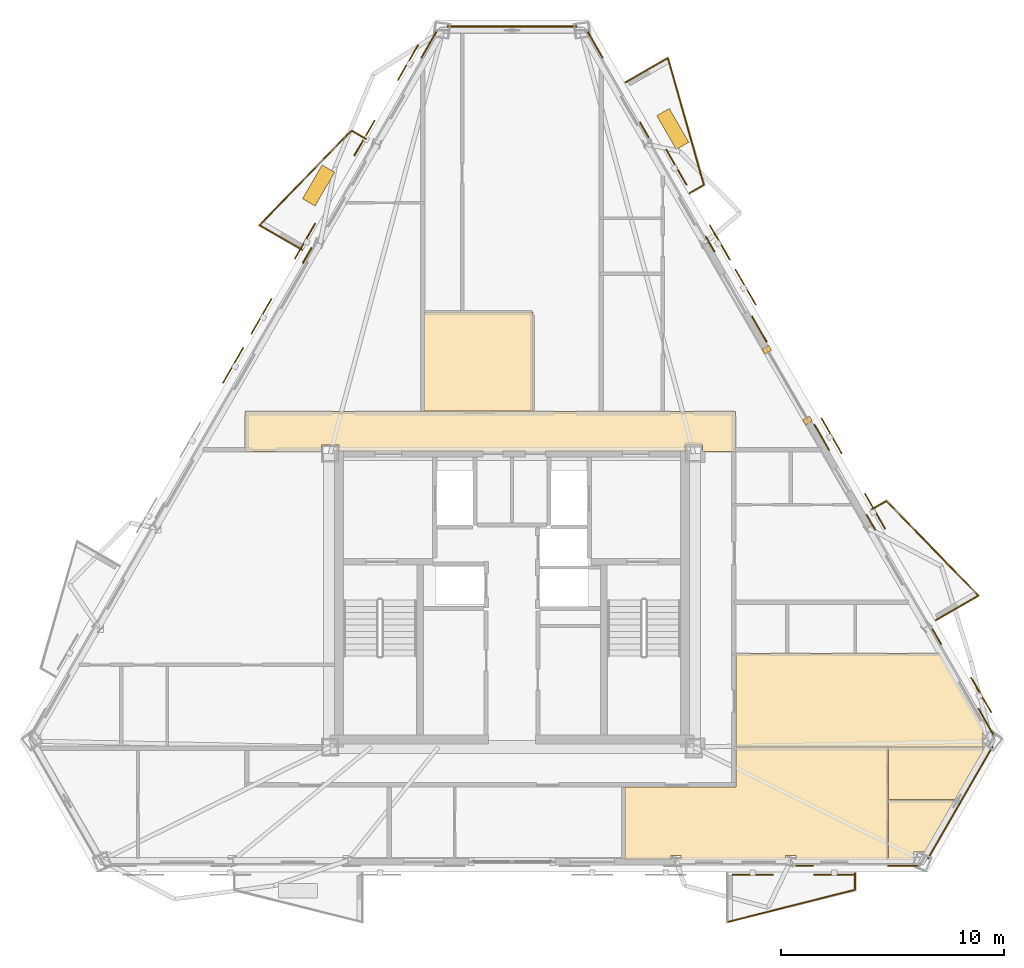
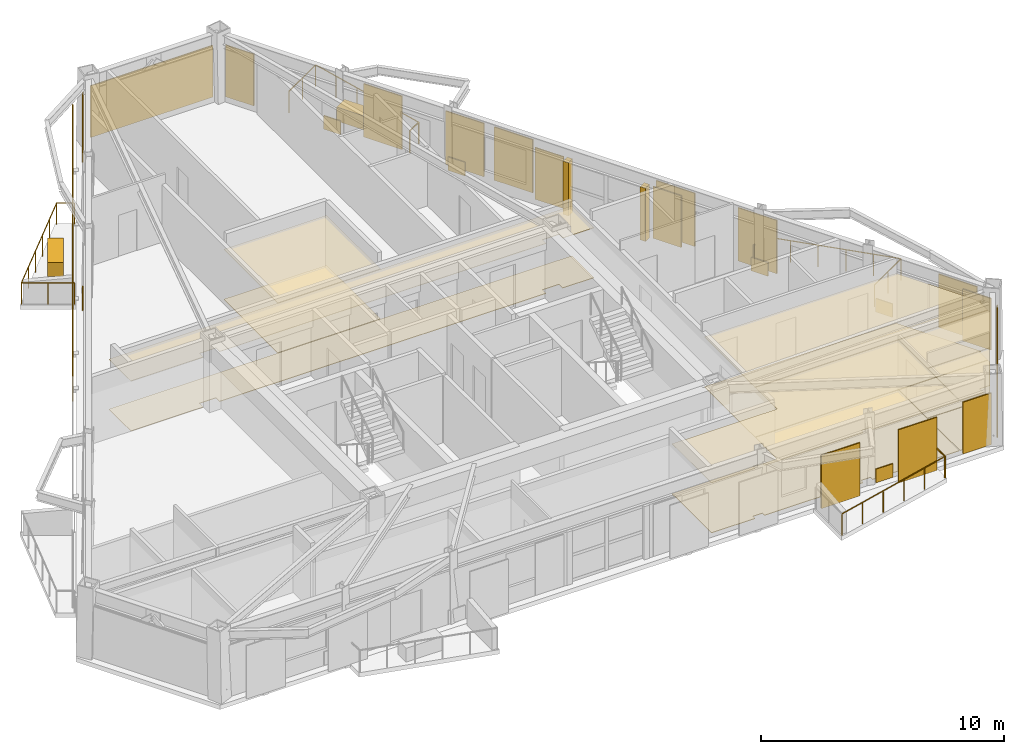
# One storey, part 12 of 12: 30 coverings, 13 shading devices, 11 railings.
"""IFC4 building model written with IfcOpenShell, lengths in metres."""

from ifc_helpers import new_model, si_unit, direction, frame, origin, origin_2d, place, context, subcontext, project, spatial, polyline, rectangle, circle, outline, extrude, material, layer, layer_set, type_object, element, save


model = new_model("IFC4")

# Units and contexts
model_context = context("Model", 3, precision=1e-05, world=origin(), true_north=direction((0.0, 1.0)))
body_context = subcontext(model_context, "Body", "Model", "MODEL_VIEW")
ifc_project = project(units=[si_unit("LENGTHUNIT", "METRE"), si_unit("AREAUNIT", "SQUARE_METRE"), si_unit("VOLUMEUNIT", "CUBIC_METRE"), si_unit("PLANEANGLEUNIT", "RADIAN"), si_unit("MASSUNIT", "GRAM", prefix="KILO")], contexts=[model_context])

# Site, building, storey
site_placement = place(None, origin())
site = spatial("IfcSite", under=ifc_project, at=site_placement, CompositionType="ELEMENT")
building_placement = place(site_placement, origin())
building = spatial("IfcBuilding", under=site, at=building_placement, Name="Oramaril Tower", CompositionType="ELEMENT")
storey_placement = place(building_placement, frame((0.0, 0.0, 227.10009765625)))
storey = spatial("IfcBuildingStorey", under=building, at=storey_placement, Name="L60", CompositionType="ELEMENT", Elevation=227.10009765625)

# Coverings
ifc_material_1 = material(Name="Mineral Fibre Acoustic Ceiling")
ifc_layer_1 = layer(ifc_material_1, 0.02001953125)
ifc_layer_set_1 = layer_set([ifc_layer_1], Name="CVT-CEIL")
covering_type_1 = type_object("IfcCoveringType", Name="CVT-CEIL", PredefinedType="CEILING", material=ifc_layer_set_1)
covering_1_placement = place(storey_placement, frame((0.0, 0.0, 2.511962890625)))
element("IfcCovering", 1, at=covering_1_placement, inside=storey, type_object=covering_type_1, Name="L60 Acoustic Suspended Ceiling 2", PredefinedType="CEILING", context=body_context, shape_type="SweptSolid", body=[
    extrude(outline(polyline([(47.530029296875, 24.239990234375), (46.044921875, 24.239990234375), (46.044921875, 24.544921875), (45.2548828125, 24.544921875), (45.2548828125, 24.25), (29.7451171875, 24.25), (29.7451171875, 24.544921875), (28.955078125, 24.544921875), (28.955078125, 24.239990234375), (25.52001953125, 24.239990234375), (25.52001953125, 26.050048828125), (47.530029296875, 26.050048828125), (47.530029296875, 24.239990234375)])), origin(), (0.0, 0.0, 1.0), 0.02001953125),
])
covering_2_placement = place(storey_placement, frame((0.0, 0.0, 2.511962890625)))
element("IfcCovering", 2, at=covering_2_placement, inside=storey, type_object=covering_type_1, Name="L60 Acoustic Suspended Ceiling 4", PredefinedType="CEILING", context=body_context, shape_type="SweptSolid", body=[
    extrude(outline(polyline([(38.44189453125, 30.511962890625), (38.44189453125, 26.070068359375), (33.55810546875, 26.070068359375), (33.55810546875, 30.511962890625), (38.44189453125, 30.511962890625)])), origin(), (0.0, 0.0, 1.0), 0.02001953125),
])
covering_3_placement = place(storey_placement, frame((0.0, 0.0, 2.511962890625)))
element("IfcCovering", 3, at=covering_3_placement, inside=storey, type_object=covering_type_1, Name="L60 Acoustic Suspended Ceiling 9", PredefinedType="CEILING", context=body_context, shape_type="SweptSolid", body=[
    extrude(outline(polyline([(54.3544921875, 10.991943359375), (54.3544921875, 5.957275390625), (50.22998046875, 5.957275390625), (50.22998046875, 6.133544921875), (49.772705078125, 6.133544921875), (49.772705078125, 5.957275390625), (45.07861328125, 5.957275390625), (45.07861328125, 6.133544921875), (44.62890625, 6.133544921875), (44.62890625, 5.957275390625), (42.56201171875, 5.957275390625), (42.56201171875, 9.199951171875), (47.530029296875, 9.199951171875), (47.531982421875, 9.2001953125), (47.533935546875, 9.200439453125), (47.535888671875, 9.200927734375), (47.53759765625, 9.201416015625), (47.539306640625, 9.202392578125), (47.541015625, 9.203369140625), (47.542724609375, 9.20458984375), (47.544189453125, 9.205810546875), (47.54541015625, 9.207275390625), (47.546630859375, 9.208984375), (47.547607421875, 9.210693359375), (47.548583984375, 9.21240234375), (47.549072265625, 9.214111328125), (47.549560546875, 9.216064453125), (47.5498046875, 9.218017578125), (47.550048828125, 9.219970703125), (47.550048828125, 10.991943359375), (54.3544921875, 10.991943359375)])), origin(), (0.0, 0.0, 1.0), 0.02001953125),
])
covering_4_placement = place(storey_placement, frame((0.0, 0.0, 2.511962890625)))
element("IfcCovering", 4, at=covering_4_placement, inside=storey, type_object=covering_type_1, Name="L60 Acoustic Suspended Ceiling 10", PredefinedType="CEILING", context=body_context, shape_type="SweptSolid", body=[
    extrude(outline(polyline([(55.997314453125, 6.2841796875), (55.5009765625, 6.2841796875), (55.5009765625, 5.957275390625), (54.37451171875, 5.957275390625), (54.37451171875, 8.616943359375), (57.343994140625, 8.616943359375), (55.997314453125, 6.2841796875)])), origin(), (0.0, 0.0, 1.0), 0.02001953125),
])
covering_5_placement = place(storey_placement, frame((0.0, 0.0, 2.511962890625)))
element("IfcCovering", 5, at=covering_5_placement, inside=storey, type_object=covering_type_1, Name="L60 Acoustic Suspended Ceiling 11", PredefinedType="CEILING", context=body_context, shape_type="SweptSolid", body=[
    extrude(outline(polyline([(58.614013671875, 10.89013671875), (58.656494140625, 10.89013671875), (57.35400390625, 8.63427734375), (57.353515625, 8.634521484375), (57.351806640625, 8.63525390625), (57.35009765625, 8.635986328125), (57.347900390625, 8.636474609375), (57.34619140625, 8.63671875), (57.343994140625, 8.636962890625), (54.37451171875, 8.636962890625), (54.37451171875, 10.991943359375), (58.614013671875, 10.991943359375), (58.614013671875, 10.89013671875)])), origin(), (0.0, 0.0, 1.0), 0.02001953125),
])
covering_6_placement = place(storey_placement, frame((0.0, 0.0, 2.511962890625)))
element("IfcCovering", 6, at=covering_6_placement, inside=storey, type_object=covering_type_1, Name="L60 Acoustic Suspended Ceiling 16", PredefinedType="CEILING", context=body_context, shape_type="SweptSolid", body=[
    extrude(outline(polyline([(56.668701171875, 15.18408203125), (58.688720703125, 11.685546875), (58.614013671875, 11.685546875), (58.614013671875, 11.011962890625), (54.37451171875, 11.011962890625), (54.37255859375, 11.011962890625), (54.37060546875, 11.01171875), (54.368896484375, 11.010986328125), (54.366943359375, 11.010498046875), (54.365234375, 11.009521484375), (54.364501953125, 11.00927734375), (54.364013671875, 11.009521484375), (54.3623046875, 11.010498046875), (54.3603515625, 11.010986328125), (54.3583984375, 11.01171875), (54.356689453125, 11.011962890625), (54.3544921875, 11.011962890625), (47.550048828125, 11.011962890625), (47.550048828125, 11.030029296875), (47.5498046875, 11.031982421875), (47.549560546875, 11.033935546875), (47.549072265625, 11.035888671875), (47.548583984375, 11.03759765625), (47.547607421875, 11.039306640625), (47.54736328125, 11.0400390625), (47.547607421875, 11.04052734375), (47.548583984375, 11.042236328125), (47.549072265625, 11.044189453125), (47.549560546875, 11.046142578125), (47.5498046875, 11.048095703125), (47.550048828125, 11.050048828125), (47.550048828125, 15.18408203125), (56.668701171875, 15.18408203125)])), origin(), (0.0, 0.0, 1.0), 0.02001953125),
])
ifc_material_2 = material(Name="Warm Cream Limestone", Category="masonry")
ifc_layer_2 = layer(ifc_material_2, 0.050048828125)
ifc_layer_set_2 = layer_set([ifc_layer_2], Name="CVT-CLD")
covering_type_2 = type_object("IfcCoveringType", Name="CVT-CLD", PredefinedType="CLADDING", material=ifc_layer_set_2)
covering_7_placement = place(storey_placement, frame((55.02099609375, 5.681396484375, 0.0400390625), z_axis=(0.0, 0.0, 1.0), x_axis=(1.0, 0.0, 0.0)))
element("IfcCovering", 7, at=covering_7_placement, inside=storey, type_object=covering_type_2, Name="L60 Warm Cream Limestone Cladding", PredefinedType="CLADDING", context=body_context, shape_type="SweptSolid", body=[
    extrude(rectangle(XDim=1.35009765625, YDim=0.050048828125, at=origin_2d()), origin(), (0.0, 0.0, 1.0), 2.596923828125),
])
covering_8_placement = place(storey_placement, frame((50.6162109375, 5.681396484375, 0.0400390625), z_axis=(0.0, 0.0, 1.0), x_axis=(1.0, 0.0, 0.0)))
element("IfcCovering", 8, at=covering_8_placement, inside=storey, type_object=covering_type_2, Name="L60 Warm Cream Limestone Spandrel Cladding", PredefinedType="CLADDING", context=body_context, shape_type="SweptSolid", body=[
    extrude(rectangle(XDim=0.800048828125, YDim=0.050048828125, at=origin_2d()), origin(), (0.0, 0.0, 1.0), 0.679931640625),
])
covering_9_placement = place(storey_placement, frame((57.594482421875, 8.498291015625, 0.0400390625), z_axis=(0.0, 0.0, 1.0), x_axis=(0.500003022996, 0.86602365845, 0.0)))
element("IfcCovering", 9, at=covering_9_placement, inside=storey, type_object=covering_type_2, Name="L60 Warm Cream Limestone Cladding", PredefinedType="CLADDING", context=body_context, shape_type="SweptSolid", body=[
    extrude(rectangle(XDim=5.81201171875, YDim=0.050048828125, at=origin_2d()), origin(), (0.0, 0.0, 1.0), 2.596923828125),
])
for number, where, z_axis, x_axis, name in (
    (10, (50.75634765625, 25.640380859375, 0.0), (0.0, 0.0, 1.0), (-0.5, 0.866025403784, 0.0), "L60 Curtain Wall Limestone Jamb Closure"),
    (11, (48.926513671875, 28.810302734375, 0.0), (0.0, 0.0, 1.0), (-0.5, 0.866025403784, 0.0), "L60 Curtain Wall Limestone Jamb Closure"),
):
    element("IfcCovering", number, at=place(storey_placement, frame(where, z_axis=z_axis, x_axis=x_axis)), inside=storey, type_object=covering_type_2, Name=name, PredefinedType="CLADDING", context=body_context, shape_type="SweptSolid", body=[
        extrude(rectangle(XDim=0.260009765625, YDim=0.340087890625, at=origin_2d()), origin(), (0.0, 0.0, 1.0), 2.677001953125),
    ])
for number, where, z_axis, x_axis, name in (
    (12, (58.747314453125, 12.1357421875, 0.0400390625), (0.0, 0.0, 1.0), (-0.4999984885, 0.866026276448, 0.0), "L60 Warm Cream Limestone Cladding"),
    (13, (51.386962890625, 24.884521484375, 0.0400390625), (0.0, 0.0, 1.0), (-0.4999984885, 0.866026276448, 0.0), "L60 Warm Cream Limestone Cladding"),
):
    element("IfcCovering", number, at=place(storey_placement, frame(where, z_axis=z_axis, x_axis=x_axis)), inside=storey, type_object=covering_type_2, Name=name, PredefinedType="CLADDING", context=body_context, shape_type="SweptSolid", body=[
        extrude(rectangle(XDim=1.35009765625, YDim=0.050048828125, at=origin_2d()), origin(), (0.0, 0.0, 1.0), 2.596923828125),
    ])
for number, where, z_axis, x_axis, name in (
    (14, (56.544921875, 15.9501953125, 0.0400390625), (0.0, 0.0, 1.0), (-0.4999984885, 0.866026276448, 0.0), "L60 Warm Cream Limestone Spandrel Cladding"),
    (15, (53.58935546875, 21.06982421875, 0.0400390625), (0.0, 0.0, 1.0), (-0.4999984885, 0.866026276448, 0.0), "L60 Warm Cream Limestone Spandrel Cladding"),
):
    element("IfcCovering", number, at=place(storey_placement, frame(where, z_axis=z_axis, x_axis=x_axis)), inside=storey, type_object=covering_type_2, Name=name, PredefinedType="CLADDING", context=body_context, shape_type="SweptSolid", body=[
        extrude(rectangle(XDim=0.800048828125, YDim=0.050048828125, at=origin_2d()), origin(), (0.0, 0.0, 1.0), 0.679931640625),
    ])
for number, where, z_axis, x_axis, name in (
    (16, (48.5869140625, 29.734130859375, 0.0400390625), (0.0, 0.0, 1.0), (-0.4999984885, 0.866026276448, 0.0), "L60 Warm Cream Limestone Cladding"),
    (17, (41.2265625, 42.48291015625, 0.0400390625), (0.0, 0.0, 1.0), (-0.4999984885, 0.866026276448, 0.0), "L60 Warm Cream Limestone Cladding"),
):
    element("IfcCovering", number, at=place(storey_placement, frame(where, z_axis=z_axis, x_axis=x_axis)), inside=storey, type_object=covering_type_2, Name=name, PredefinedType="CLADDING", context=body_context, shape_type="SweptSolid", body=[
        extrude(rectangle(XDim=1.35009765625, YDim=0.050048828125, at=origin_2d()), origin(), (0.0, 0.0, 1.0), 2.596923828125),
    ])
for number, where, z_axis, x_axis, name in (
    (18, (46.384521484375, 33.548828125, 0.0400390625), (0.0, 0.0, 1.0), (-0.4999984885, 0.866026276448, 0.0), "L60 Warm Cream Limestone Spandrel Cladding"),
    (19, (43.4287109375, 38.66845703125, 0.0400390625), (0.0, 0.0, 1.0), (-0.4999984885, 0.866026276448, 0.0), "L60 Warm Cream Limestone Spandrel Cladding"),
):
    element("IfcCovering", number, at=place(storey_placement, frame(where, z_axis=z_axis, x_axis=x_axis)), inside=storey, type_object=covering_type_2, Name=name, PredefinedType="CLADDING", context=body_context, shape_type="SweptSolid", body=[
        extrude(rectangle(XDim=0.800048828125, YDim=0.050048828125, at=origin_2d()), origin(), (0.0, 0.0, 1.0), 0.679931640625),
    ])
covering_10_placement = place(storey_placement, frame((37.5, 43.302978515625, 0.0400390625), z_axis=(0.0, 0.0, 1.0), x_axis=(-1.0, 0.0, 0.0)))
element("IfcCovering", 20, at=covering_10_placement, inside=storey, type_object=covering_type_2, Name="L60 Warm Cream Limestone Cladding", PredefinedType="CLADDING", context=body_context, shape_type="SweptSolid", body=[
    extrude(rectangle(XDim=5.81201171875, YDim=0.050048828125, at=origin_2d()), origin(), (0.0, 0.0, 1.0), 2.596923828125),
])
covering_11_placement = place(storey_placement, frame((33.7734375, 42.48291015625, 0.0400390625), z_axis=(0.0, 0.0, 1.0), x_axis=(-0.4999984885, -0.866026276448, 0.0)))
element("IfcCovering", 21, at=covering_11_placement, inside=storey, type_object=covering_type_2, Name="L60 Warm Cream Limestone Cladding", PredefinedType="CLADDING", context=body_context, shape_type="SweptSolid", body=[
    extrude(rectangle(XDim=1.35009765625, YDim=0.050048828125, at=origin_2d()), origin(), (0.0, 0.0, 1.0), 2.596923828125),
])
covering_12_placement = place(storey_placement, frame((28.31982421875, 33.036865234375, 0.0400390625), z_axis=(0.0, 0.0, 1.0), x_axis=(-0.4999984885, -0.866026276448, 0.0)))
element("IfcCovering", 22, at=covering_12_placement, inside=storey, type_object=covering_type_2, Name="L60 Warm Cream Limestone Spandrel Cladding", PredefinedType="CLADDING", context=body_context, shape_type="SweptSolid", body=[
    extrude(rectangle(XDim=0.800048828125, YDim=0.050048828125, at=origin_2d()), origin(), (0.0, 0.0, 1.0), 0.679931640625),
])
for number, where, z_axis, x_axis, name in (
    (23, (44.70849609375, 38.708984375, 0.0), (0.0, 0.0, 1.0), (-0.4999984885, 0.866026276448, 0.0), "L60 Structural Tree Planter Box L60-BAL-NE2"),
    (24, (28.828857421875, 36.17578125, 0.0), (0.0, 0.0, 1.0), (-0.4999984885, -0.866026276448, 0.0), "L60 Structural Tree Planter Box L60-BAL-NW1"),
):
    element("IfcCovering", number, at=place(storey_placement, frame(where, z_axis=z_axis, x_axis=x_axis)), inside=storey, type_object=covering_type_2, Name=name, PredefinedType="CLADDING", context=body_context, shape_type="SweptSolid", body=[
        extrude(rectangle(XDim=1.75, YDim=0.64990234375, at=origin_2d()), origin(), (0.0, 0.0, 1.0), 0.699951171875),
    ])
ifc_material_3 = material(Name="Honed Quartzite Stone Flooring", Category="masonry")
ifc_layer_3 = layer(ifc_material_3, 0.02490234375)
ifc_layer_set_3 = layer_set([ifc_layer_3], Name="CVT-FLR")
covering_type_3 = type_object("IfcCoveringType", Name="CVT-FLR", PredefinedType="FLOORING", material=ifc_layer_set_3)
covering_13_placement = place(storey_placement, origin())
element("IfcCovering", 25, at=covering_13_placement, inside=storey, type_object=covering_type_3, Name="L60 Honed Stone Floor Finish 2", PredefinedType="FLOORING", context=body_context, shape_type="SweptSolid", body=[
    extrude(outline(polyline([(47.530029296875, 24.239990234375), (46.044921875, 24.239990234375), (46.044921875, 24.544921875), (45.2548828125, 24.544921875), (45.2548828125, 24.25), (29.7451171875, 24.25), (29.7451171875, 24.544921875), (28.955078125, 24.544921875), (28.955078125, 24.239990234375), (25.52001953125, 24.239990234375), (25.52001953125, 26.050048828125), (47.530029296875, 26.050048828125), (47.530029296875, 24.239990234375)])), origin(), (0.0, 0.0, 1.0), 0.02490234375),
])
covering_14_placement = place(storey_placement, origin())
element("IfcCovering", 26, at=covering_14_placement, inside=storey, type_object=covering_type_3, Name="L60 Honed Stone Floor Finish 4", PredefinedType="FLOORING", context=body_context, shape_type="SweptSolid", body=[
    extrude(outline(polyline([(38.44189453125, 30.511962890625), (38.44189453125, 26.070068359375), (33.55810546875, 26.070068359375), (33.55810546875, 30.511962890625), (38.44189453125, 30.511962890625)])), origin(), (0.0, 0.0, 1.0), 0.02490234375),
])
covering_15_placement = place(storey_placement, origin())
element("IfcCovering", 27, at=covering_15_placement, inside=storey, type_object=covering_type_3, Name="L60 Honed Stone Floor Finish 9", PredefinedType="FLOORING", context=body_context, shape_type="SweptSolid", body=[
    extrude(outline(polyline([(54.3544921875, 10.991943359375), (54.3544921875, 5.957275390625), (50.22998046875, 5.957275390625), (50.22998046875, 6.133544921875), (49.772705078125, 6.133544921875), (49.772705078125, 5.957275390625), (45.07861328125, 5.957275390625), (45.07861328125, 6.133544921875), (44.62890625, 6.133544921875), (44.62890625, 5.957275390625), (42.56201171875, 5.957275390625), (42.56201171875, 9.199951171875), (47.530029296875, 9.199951171875), (47.531982421875, 9.2001953125), (47.533935546875, 9.200439453125), (47.535888671875, 9.200927734375), (47.53759765625, 9.201416015625), (47.539306640625, 9.202392578125), (47.541015625, 9.203369140625), (47.542724609375, 9.20458984375), (47.544189453125, 9.205810546875), (47.54541015625, 9.207275390625), (47.546630859375, 9.208984375), (47.547607421875, 9.210693359375), (47.548583984375, 9.21240234375), (47.549072265625, 9.214111328125), (47.549560546875, 9.216064453125), (47.5498046875, 9.218017578125), (47.550048828125, 9.219970703125), (47.550048828125, 10.991943359375), (54.3544921875, 10.991943359375)])), origin(), (0.0, 0.0, 1.0), 0.02490234375),
])
covering_16_placement = place(storey_placement, origin())
element("IfcCovering", 28, at=covering_16_placement, inside=storey, type_object=covering_type_3, Name="L60 Honed Stone Floor Finish 10", PredefinedType="FLOORING", context=body_context, shape_type="SweptSolid", body=[
    extrude(outline(polyline([(55.997314453125, 6.2841796875), (55.5009765625, 6.2841796875), (55.5009765625, 5.957275390625), (54.37451171875, 5.957275390625), (54.37451171875, 8.616943359375), (57.343994140625, 8.616943359375), (55.997314453125, 6.2841796875)])), origin(), (0.0, 0.0, 1.0), 0.02490234375),
])
covering_17_placement = place(storey_placement, origin())
element("IfcCovering", 29, at=covering_17_placement, inside=storey, type_object=covering_type_3, Name="L60 Honed Stone Floor Finish 11", PredefinedType="FLOORING", context=body_context, shape_type="SweptSolid", body=[
    extrude(outline(polyline([(58.614013671875, 10.89013671875), (58.656494140625, 10.89013671875), (57.35400390625, 8.63427734375), (57.353515625, 8.634521484375), (57.351806640625, 8.63525390625), (57.35009765625, 8.635986328125), (57.347900390625, 8.636474609375), (57.34619140625, 8.63671875), (57.343994140625, 8.636962890625), (54.37451171875, 8.636962890625), (54.37451171875, 10.991943359375), (58.614013671875, 10.991943359375), (58.614013671875, 10.89013671875)])), origin(), (0.0, 0.0, 1.0), 0.02490234375),
])
covering_18_placement = place(storey_placement, origin())
element("IfcCovering", 30, at=covering_18_placement, inside=storey, type_object=covering_type_3, Name="L60 Honed Stone Floor Finish 16", PredefinedType="FLOORING", context=body_context, shape_type="SweptSolid", body=[
    extrude(outline(polyline([(56.668701171875, 15.18408203125), (58.688720703125, 11.685546875), (58.614013671875, 11.685546875), (58.614013671875, 11.011962890625), (54.37451171875, 11.011962890625), (54.37255859375, 11.011962890625), (54.37060546875, 11.01171875), (54.368896484375, 11.010986328125), (54.366943359375, 11.010498046875), (54.365234375, 11.009521484375), (54.364501953125, 11.00927734375), (54.364013671875, 11.009521484375), (54.3623046875, 11.010498046875), (54.3603515625, 11.010986328125), (54.3583984375, 11.01171875), (54.356689453125, 11.011962890625), (54.3544921875, 11.011962890625), (47.550048828125, 11.011962890625), (47.550048828125, 11.030029296875), (47.5498046875, 11.031982421875), (47.549560546875, 11.033935546875), (47.549072265625, 11.035888671875), (47.548583984375, 11.03759765625), (47.547607421875, 11.039306640625), (47.54736328125, 11.0400390625), (47.547607421875, 11.04052734375), (47.548583984375, 11.042236328125), (47.549072265625, 11.044189453125), (47.549560546875, 11.046142578125), (47.5498046875, 11.048095703125), (47.550048828125, 11.050048828125), (47.550048828125, 15.18408203125), (56.668701171875, 15.18408203125)])), origin(), (0.0, 0.0, 1.0), 0.02490234375),
])

# Railings
ifc_material_4 = material(Name="Stainless Steel 316L", Category="steel")
railing_type = type_object("IfcRailingType", Name="RLT-GRD", PredefinedType="GUARDRAIL", material=ifc_material_4)
railing_1_placement = place(storey_placement, frame((52.87646484375, 5.34130859375, 0.0)))
element("IfcRailing", 31, at=railing_1_placement, inside=storey, type_object=railing_type, Name="L60 Balcony Guardrail L60-BAL-S2.1", PredefinedType="GUARDRAIL", context=body_context, shape_type="SweptSolid", body=[
    extrude(circle(Radius=0.02392578125, at=origin_2d()), frame((0.0, 0.0, 1.076171875), z_axis=(0.0, -1.0, 0.0), x_axis=(1.0, 0.0, 0.0)), (0.0, 0.0, 1.0), 0.741943359375),
    extrude(circle(Radius=0.02099609375, at=origin_2d()), origin(), (0.0, 0.0, 1.0), 1.052001953125),
    extrude(circle(Radius=0.02099609375, at=origin_2d()), frame((0.0, -0.741943359375, 0.0)), (0.0, 0.0, 1.0), 1.052001953125),
])
railing_2_placement = place(storey_placement, frame((52.87646484375, 4.599365234375, 0.0)))
element("IfcRailing", 32, at=railing_2_placement, inside=storey, type_object=railing_type, Name="L60 Balcony Guardrail L60-BAL-S2.2", PredefinedType="GUARDRAIL", context=body_context, shape_type="SweptSolid", body=[
    extrude(circle(Radius=0.02392578125, at=origin_2d()), frame((0.0, 0.0, 1.076171875), z_axis=(-0.969443611257, -0.245314256807, 0.0), x_axis=(0.245314256807, -0.969443611257, 0.0)), (0.0, 0.0, 1.0), 5.91064453125),
    extrude(circle(Radius=0.02099609375, at=origin_2d()), origin(), (0.0, 0.0, 1.0), 1.052001953125),
    extrude(circle(Radius=0.02099609375, at=origin_2d()), frame((-1.14599609375, -0.2900390625, 0.0)), (0.0, 0.0, 1.0), 1.052001953125),
    extrude(circle(Radius=0.02099609375, at=origin_2d()), frame((-2.2919921875, -0.580078125, 0.0)), (0.0, 0.0, 1.0), 1.052001953125),
    extrude(circle(Radius=0.02099609375, at=origin_2d()), frame((-3.43798828125, -0.869873046875, 0.0)), (0.0, 0.0, 1.0), 1.052001953125),
    extrude(circle(Radius=0.02099609375, at=origin_2d()), frame((-4.583984375, -1.159912109375, 0.0)), (0.0, 0.0, 1.0), 1.052001953125),
    extrude(circle(Radius=0.02099609375, at=origin_2d()), frame((-5.72998046875, -1.449951171875, 0.0)), (0.0, 0.0, 1.0), 1.052001953125),
])
railing_3_placement = place(storey_placement, frame((53.64208984375, 21.658203125, 0.0)))
element("IfcRailing", 33, at=railing_3_placement, inside=storey, type_object=railing_type, Name="L60 Balcony Guardrail L60-BAL-NE1.1", PredefinedType="GUARDRAIL", context=body_context, shape_type="SweptSolid", body=[
    extrude(circle(Radius=0.02392578125, at=origin_2d()), frame((0.0, 0.0, 1.076171875), z_axis=(0.865966403178, 0.500102178127, 0.0), x_axis=(-0.500102178127, 0.865966403178, 0.0)), (0.0, 0.0, 1.0), 0.741943359375),
    extrude(circle(Radius=0.02099609375, at=origin_2d()), origin(), (0.0, 0.0, 1.0), 1.052001953125),
    extrude(circle(Radius=0.02099609375, at=origin_2d()), frame((0.642578125, 0.37109375, 0.0)), (0.0, 0.0, 1.0), 1.052001953125),
])
railing_4_placement = place(storey_placement, frame((54.28466796875, 22.029296875, 0.0)))
element("IfcRailing", 34, at=railing_4_placement, inside=storey, type_object=railing_type, Name="L60 Balcony Guardrail L60-BAL-NE1.2", PredefinedType="GUARDRAIL", context=body_context, shape_type="SweptSolid", body=[
    extrude(circle(Radius=0.02392578125, at=origin_2d()), frame((0.0, 0.0, 1.076171875), z_axis=(0.697186915353, -0.716889395277, 0.0), x_axis=(0.716889395277, 0.697186915353, 0.0)), (0.0, 0.0, 1.0), 5.91064453125),
    extrude(circle(Radius=0.02099609375, at=origin_2d()), origin(), (0.0, 0.0, 1.0), 1.052001953125),
    extrude(circle(Radius=0.02099609375, at=origin_2d()), frame((0.82421875, -0.847412109375, 0.0)), (0.0, 0.0, 1.0), 1.052001953125),
    extrude(circle(Radius=0.02099609375, at=origin_2d()), frame((1.6484375, -1.69482421875, 0.0)), (0.0, 0.0, 1.0), 1.052001953125),
    extrude(circle(Radius=0.02099609375, at=origin_2d()), frame((2.472412109375, -2.54248046875, 0.0)), (0.0, 0.0, 1.0), 1.052001953125),
    extrude(circle(Radius=0.02099609375, at=origin_2d()), frame((3.296630859375, -3.389892578125, 0.0)), (0.0, 0.0, 1.0), 1.052001953125),
    extrude(circle(Radius=0.02099609375, at=origin_2d()), frame((4.120849609375, -4.2373046875, 0.0)), (0.0, 0.0, 1.0), 1.052001953125),
])
railing_5_placement = place(storey_placement, frame((58.405517578125, 17.7919921875, 0.0)))
element("IfcRailing", 35, at=railing_5_placement, inside=storey, type_object=railing_type, Name="L60 Balcony Guardrail L60-BAL-NE1.3", PredefinedType="GUARDRAIL", context=body_context, shape_type="SweptSolid", body=[
    extrude(circle(Radius=0.02392578125, at=origin_2d()), frame((0.0, 0.0, 1.076171875), z_axis=(-0.866048343933, -0.499960264392, 0.0), x_axis=(0.499960264392, -0.866048343933, 0.0)), (0.0, 0.0, 1.0), 2.192138671875),
    extrude(circle(Radius=0.02099609375, at=origin_2d()), origin(), (0.0, 0.0, 1.0), 1.052001953125),
    extrude(circle(Radius=0.02099609375, at=origin_2d()), frame((-0.94921875, -0.5478515625, 0.0)), (0.0, 0.0, 1.0), 1.052001953125),
    extrude(circle(Radius=0.02099609375, at=origin_2d()), frame((-1.8984375, -1.095947265625, 0.0)), (0.0, 0.0, 1.0), 1.052001953125),
])
railing_6_placement = place(storey_placement, frame((42.59326171875, 40.7958984375, 0.0)))
element("IfcRailing", 36, at=railing_6_placement, inside=storey, type_object=railing_type, Name="L60 Balcony Guardrail L60-BAL-NE2.1", PredefinedType="GUARDRAIL", context=body_context, shape_type="SweptSolid", body=[
    extrude(circle(Radius=0.02392578125, at=origin_2d()), frame((0.0, 0.0, 1.076171875), z_axis=(0.866020500697, 0.5000084923, 0.0), x_axis=(-0.5000084923, 0.866020500697, 0.0)), (0.0, 0.0, 1.0), 2.19189453125),
    extrude(circle(Radius=0.02099609375, at=origin_2d()), origin(), (0.0, 0.0, 1.0), 1.052001953125),
    extrude(circle(Radius=0.02099609375, at=origin_2d()), frame((0.94921875, 0.5478515625, 0.0)), (0.0, 0.0, 1.0), 1.052001953125),
    extrude(circle(Radius=0.02099609375, at=origin_2d()), frame((1.898193359375, 1.095947265625, 0.0)), (0.0, 0.0, 1.0), 1.052001953125),
])
railing_7_placement = place(storey_placement, frame((44.491455078125, 41.891845703125, 0.0)))
element("IfcRailing", 37, at=railing_7_placement, inside=storey, type_object=railing_type, Name="L60 Balcony Guardrail L60-BAL-NE2.2", PredefinedType="GUARDRAIL", context=body_context, shape_type="SweptSolid", body=[
    extrude(circle(Radius=0.02392578125, at=origin_2d()), frame((0.0, 0.0, 1.076171875), z_axis=(0.27224886544, -0.962226873074, 0.0), x_axis=(0.962226873074, 0.27224886544, 0.0)), (0.0, 0.0, 1.0), 5.910400390625),
    extrude(circle(Radius=0.02099609375, at=origin_2d()), origin(), (0.0, 0.0, 1.0), 1.052001953125),
    extrude(circle(Radius=0.02099609375, at=origin_2d()), frame((0.32177734375, -1.137451171875, 0.0)), (0.0, 0.0, 1.0), 1.052001953125),
    extrude(circle(Radius=0.02099609375, at=origin_2d()), frame((0.6435546875, -2.27490234375, 0.0)), (0.0, 0.0, 1.0), 1.052001953125),
    extrude(circle(Radius=0.02099609375, at=origin_2d()), frame((0.965576171875, -3.412353515625, 0.0)), (0.0, 0.0, 1.0), 1.052001953125),
    extrude(circle(Radius=0.02099609375, at=origin_2d()), frame((1.287353515625, -4.5498046875, 0.0)), (0.0, 0.0, 1.0), 1.052001953125),
    extrude(circle(Radius=0.02099609375, at=origin_2d()), frame((1.609130859375, -5.687255859375, 0.0)), (0.0, 0.0, 1.0), 1.052001953125),
])
railing_8_placement = place(storey_placement, frame((46.1005859375, 36.20458984375, 0.0)))
element("IfcRailing", 38, at=railing_8_placement, inside=storey, type_object=railing_type, Name="L60 Balcony Guardrail L60-BAL-NE2.3", PredefinedType="GUARDRAIL", context=body_context, shape_type="SweptSolid", body=[
    extrude(circle(Radius=0.02392578125, at=origin_2d()), frame((0.0, 0.0, 1.076171875), z_axis=(-0.865884080729, -0.500244698863, 0.0), x_axis=(0.500244698863, -0.865884080729, 0.0)), (0.0, 0.0, 1.0), 0.741943359375),
    extrude(circle(Radius=0.02099609375, at=origin_2d()), origin(), (0.0, 0.0, 1.0), 1.052001953125),
    extrude(circle(Radius=0.02099609375, at=origin_2d()), frame((-0.642333984375, -0.37109375, 0.0)), (0.0, 0.0, 1.0), 1.052001953125),
])
railing_9_placement = place(storey_placement, frame((28.079345703125, 33.30029296875, 0.0)))
element("IfcRailing", 39, at=railing_9_placement, inside=storey, type_object=railing_type, Name="L60 Balcony Guardrail L60-BAL-NW1.1", PredefinedType="GUARDRAIL", context=body_context, shape_type="SweptSolid", body=[
    extrude(circle(Radius=0.02392578125, at=origin_2d()), frame((0.0, 0.0, 1.076171875), z_axis=(-0.866000118559, 0.500043792738, 0.0), x_axis=(-0.500043792738, -0.866000118559, 0.0)), (0.0, 0.0, 1.0), 2.192138671875),
    extrude(circle(Radius=0.02099609375, at=origin_2d()), origin(), (0.0, 0.0, 1.0), 1.052001953125),
    extrude(circle(Radius=0.02099609375, at=origin_2d()), frame((-0.94921875, 0.548095703125, 0.0)), (0.0, 0.0, 1.0), 1.052001953125),
    extrude(circle(Radius=0.02099609375, at=origin_2d()), frame((-1.8984375, 1.09619140625, 0.0)), (0.0, 0.0, 1.0), 1.052001953125),
])
railing_10_placement = place(storey_placement, frame((26.180908203125, 34.396484375, 0.0)))
element("IfcRailing", 40, at=railing_10_placement, inside=storey, type_object=railing_type, Name="L60 Balcony Guardrail L60-BAL-NW1.2", PredefinedType="GUARDRAIL", context=body_context, shape_type="SweptSolid", body=[
    extrude(circle(Radius=0.02392578125, at=origin_2d()), frame((0.0, 0.0, 1.076171875), z_axis=(0.697186915353, 0.716889395277, 0.0), x_axis=(-0.716889395277, 0.697186915353, 0.0)), (0.0, 0.0, 1.0), 5.91064453125),
    extrude(circle(Radius=0.02099609375, at=origin_2d()), origin(), (0.0, 0.0, 1.0), 1.052001953125),
    extrude(circle(Radius=0.02099609375, at=origin_2d()), frame((0.82421875, 0.847412109375, 0.0)), (0.0, 0.0, 1.0), 1.052001953125),
    extrude(circle(Radius=0.02099609375, at=origin_2d()), frame((1.6484375, 1.69482421875, 0.0)), (0.0, 0.0, 1.0), 1.052001953125),
    extrude(circle(Radius=0.02099609375, at=origin_2d()), frame((2.472412109375, 2.54248046875, 0.0)), (0.0, 0.0, 1.0), 1.052001953125),
    extrude(circle(Radius=0.02099609375, at=origin_2d()), frame((3.296630859375, 3.389892578125, 0.0)), (0.0, 0.0, 1.0), 1.052001953125),
    extrude(circle(Radius=0.02099609375, at=origin_2d()), frame((4.120849609375, 4.2373046875, 0.0)), (0.0, 0.0, 1.0), 1.052001953125),
])
railing_11_placement = place(storey_placement, frame((30.3017578125, 38.6337890625, 0.0)))
element("IfcRailing", 41, at=railing_11_placement, inside=storey, type_object=railing_type, Name="L60 Balcony Guardrail L60-BAL-NW1.3", PredefinedType="GUARDRAIL", context=body_context, shape_type="SweptSolid", body=[
    extrude(circle(Radius=0.02392578125, at=origin_2d()), frame((0.0, 0.0, 1.076171875), z_axis=(0.865966403178, -0.500102178127, 0.0), x_axis=(0.500102178127, 0.865966403178, 0.0)), (0.0, 0.0, 1.0), 0.741943359375),
    extrude(circle(Radius=0.02099609375, at=origin_2d()), origin(), (0.0, 0.0, 1.0), 1.052001953125),
    extrude(circle(Radius=0.02099609375, at=origin_2d()), frame((0.642578125, -0.37109375, 0.0)), (0.0, 0.0, 1.0), 1.052001953125),
])

# Shading devices
for number, where, z_axis, x_axis, name in (
    (42, (48.287109375, 5.269287109375, -0.02001953125), (0.0, 0.0, 1.0), (1.0, 0.0, 0.0), "L60 Perforated Ceramic Solar Screen"),
    (43, (51.95263671875, 5.269287109375, -0.02001953125), (0.0, 0.0, 1.0), (1.0, 0.0, 0.0), "L60 Perforated Ceramic Solar Screen"),
    (44, (58.53173828125, 13.3330078125, -0.02001953125), (0.0, 0.0, 1.0), (-0.5, 0.866025403784, 0.0), "L60 Perforated Ceramic Solar Screen"),
    (45, (53.775146484375, 21.57177734375, -0.02001953125), (0.0, 0.0, 1.0), (-0.5, 0.866025403784, 0.0), "L60 Perforated Ceramic Solar Screen"),
    (46, (51.8251953125, 24.94921875, -0.02001953125), (0.0, 0.0, 1.0), (-0.5, 0.866025403784, 0.0), "L60 Perforated Ceramic Solar Screen"),
    (47, (47.97412109375, 31.61962890625, -0.02001953125), (0.0, 0.0, 1.0), (-0.499995465495, 0.866028021766, 0.0), "L60 Perforated Ceramic Solar Screen"),
    (48, (46.819580078125, 33.619140625, -0.02001953125), (0.0, 0.0, 1.0), (-0.499995465495, 0.866028021766, 0.0), "L60 Perforated Ceramic Solar Screen"),
    (49, (44.86962890625, 36.99658203125, -0.02001953125), (0.0, 0.0, 1.0), (-0.499995465495, 0.866028021766, 0.0), "L60 Perforated Ceramic Solar Screen"),
    (50, (28.21728515625, 33.68310546875, -0.02001953125), (0.0, 0.0, 1.0), (-0.4999984885, -0.866026276448, 0.0), "L60 Perforated Ceramic Solar Screen"),
    (51, (26.26708984375, 30.3056640625, -0.02001953125), (0.0, 0.0, 1.0), (-0.4999984885, -0.866026276448, 0.0), "L60 Perforated Ceramic Solar Screen"),
    (52, (25.00048828125, 28.111328125, -0.02001953125), (0.0, 0.0, 1.0), (-0.4999984885, -0.866026276448, 0.0), "L60 Perforated Ceramic Solar Screen"),
    (53, (32.833984375, 41.6796875, -0.02001953125), (0.0, 0.0, 1.0), (-0.4999984885, -0.866026276448, 0.0), "L60 Perforated Ceramic Solar Screen"),
    (54, (30.884033203125, 38.30224609375, -0.02001953125), (0.0, 0.0, 1.0), (-0.4999984885, -0.866026276448, 0.0), "L60 Perforated Ceramic Solar Screen"),
):
    element("IfcShadingDevice", number, at=place(storey_placement, frame(where, z_axis=z_axis, x_axis=x_axis)), inside=storey, Name=name, ObjectType="SCREEN", PredefinedType="USERDEFINED", context=body_context, shape_type="SweptSolid", body=[
        extrude(rectangle(XDim=1.8330078125, YDim=0.050048828125, at=origin_2d()), origin(), (0.0, 0.0, 1.0), 2.677001953125),
    ])

save(model, "model.ifc")
